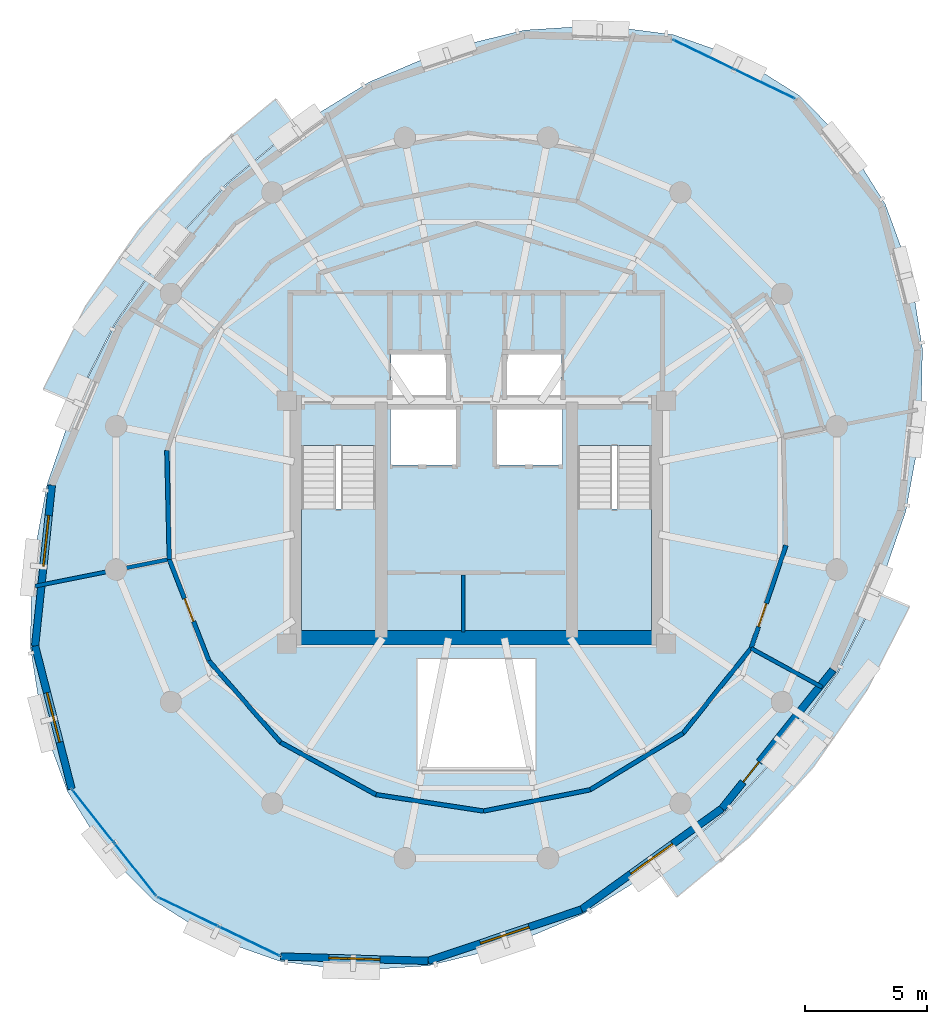
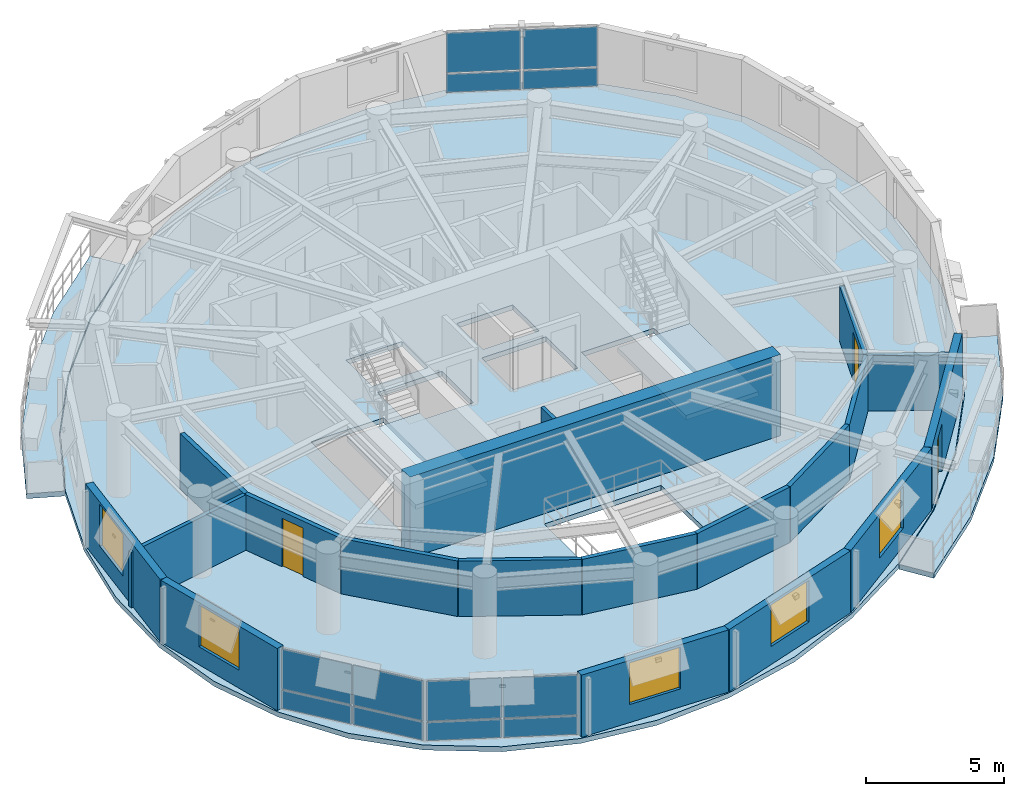
# One storey, part 6 of 11: 19 walls, 12 plates, 5 slabs, 5 windows, 3 doors, 8 openings, 5 elements without a shape of their own.
"""IFC4 building model written with IfcOpenShell, lengths in metres."""

from ifc_helpers import new_model, si_unit, direction, frame, frame_2d, origin, origin_2d, place, context, subcontext, project, spatial, polyline, rectangle, outline, extrude, material, layer, layer_set, type_object, element, fill, aggregate, save


model = new_model("IFC4")

# Units and contexts
model_context = context("Model", 3, precision=1e-05, world=origin(), true_north=direction((0.0, 1.0)))
body_context = subcontext(model_context, "Body", "Model", "MODEL_VIEW")
ifc_project = project(units=[si_unit("LENGTHUNIT", "METRE"), si_unit("AREAUNIT", "SQUARE_METRE"), si_unit("VOLUMEUNIT", "CUBIC_METRE"), si_unit("PLANEANGLEUNIT", "RADIAN"), si_unit("MASSUNIT", "GRAM", prefix="KILO"), si_unit("THERMODYNAMICTEMPERATUREUNIT", "KELVIN"), si_unit("POWERUNIT", "WATT")], contexts=[model_context])

# Site, building, storey
site_placement = place(None, origin())
site = spatial("IfcSite", under=ifc_project, at=site_placement, CompositionType="ELEMENT")
building_placement = place(site_placement, origin())
building = spatial("IfcBuilding", under=site, at=building_placement, Name="Ocrelia Relay Tower", CompositionType="ELEMENT")
storey_placement = place(building_placement, frame((0.0, 0.0, 244.800048828125)))
storey = spatial("IfcBuildingStorey", under=building, at=storey_placement, Name="L60", CompositionType="ELEMENT", Elevation=244.800048828125)

# Curtain wall, plates
ifc_material_1 = material(Name="Aluminium and solar-control low-E glass", Category="aluminium")
ifc_layer_1 = layer(ifc_material_1, 0.179931640625, Name="Aluminium and solar-control low-E glass")
ifc_layer_set_1 = layer_set([ifc_layer_1], Name="Aluminium and solar-control low-E glass")
curtain_wall_type = type_object("IfcCurtainWallType", Name="CW-SYS-Z4-EXEC", PredefinedType="NOTDEFINED", material=ifc_layer_set_1)
curtain_wall_1_placement = place(storey_placement, origin())
curtain_wall_1 = element("IfcCurtainWall", 1, at=curtain_wall_1_placement, inside=storey, type_object=curtain_wall_type, Name="L60 Elliptical Tower Curtain Wall Bay 01", PredefinedType="NOTDEFINED")
ifc_material_2 = material(Name="Clear double-glazed low-E glass", Category="glass")
ifc_layer_2 = layer(ifc_material_2, 0.031982421875, Name="Clear double-glazed low-E glass")
ifc_layer_set_2 = layer_set([ifc_layer_2], Name="Clear double-glazed low-E glass")
plate_type = type_object("IfcPlateType", Name="CW-SYS-Z4-EXEC-PNL", PredefinedType="CURTAIN_PANEL", material=ifc_layer_set_2)
plate_1_placement = place(storey_placement, frame((45.843017578125, 43.009765625, 0.059814453125), z_axis=(0.0, 0.0, 1.0), x_axis=(-0.90071118316, 0.434418421029, 0.0)))
plate_1 = element("IfcPlate", 2, at=plate_1_placement, type_object=plate_type, Name="CW-Z4 panel 1.1", PredefinedType="CURTAIN_PANEL", context=body_context, shape_type="SweptSolid", body=[
    extrude(rectangle(XDim=2.7275390625, YDim=0.031982421875, at=origin_2d()), origin(), (0.0, 0.0, 1.0), 0.81005859375),
])
plate_2_placement = place(storey_placement, frame((45.843017578125, 43.009765625, 0.929931640625), z_axis=(0.0, 0.0, 1.0), x_axis=(-0.90071118316, 0.434418421029, 0.0)))
plate_2 = element("IfcPlate", 3, at=plate_2_placement, type_object=plate_type, Name="CW-Z4 panel 1.2", PredefinedType="CURTAIN_PANEL", context=body_context, shape_type="SweptSolid", body=[
    extrude(rectangle(XDim=2.7275390625, YDim=0.031982421875, at=origin_2d()), origin(), (0.0, 0.0, 1.0), 1.77001953125),
])
plate_3_placement = place(storey_placement, frame((43.327880859375, 44.222900390625, 0.059814453125), z_axis=(0.0, 0.0, 1.0), x_axis=(-0.90071118316, 0.434418421029, 0.0)))
plate_3 = element("IfcPlate", 4, at=plate_3_placement, type_object=plate_type, Name="CW-Z4 panel 2.1", PredefinedType="CURTAIN_PANEL", context=body_context, shape_type="SweptSolid", body=[
    extrude(rectangle(XDim=2.7275390625, YDim=0.031982421875, at=origin_2d()), origin(), (0.0, 0.0, 1.0), 0.81005859375),
])
plate_4_placement = place(storey_placement, frame((43.327880859375, 44.222900390625, 0.929931640625), z_axis=(0.0, 0.0, 1.0), x_axis=(-0.90071118316, 0.434418421029, 0.0)))
plate_4 = element("IfcPlate", 5, at=plate_4_placement, type_object=plate_type, Name="CW-Z4 panel 2.2", PredefinedType="CURTAIN_PANEL", context=body_context, shape_type="SweptSolid", body=[
    extrude(rectangle(XDim=2.7275390625, YDim=0.031982421875, at=origin_2d()), origin(), (0.0, 0.0, 1.0), 1.77001953125),
])
aggregate(curtain_wall_1, [plate_1, plate_2, plate_3, plate_4])

curtain_wall_2_placement = place(storey_placement, origin())
curtain_wall_2 = element("IfcCurtainWall", 6, at=curtain_wall_2_placement, inside=storey, type_object=curtain_wall_type, Name="L60 Elliptical Tower Curtain Wall Bay 09", PredefinedType="NOTDEFINED")
plate_5_placement = place(storey_placement, frame((18.250732421875, 12.921630859375, 0.059814453125), z_axis=(0.0, 0.0, 1.0), x_axis=(0.620429556634, -0.784262178901, 0.0)))
plate_5 = element("IfcPlate", 7, at=plate_5_placement, type_object=plate_type, Name="CW-Z4 panel 1.1", PredefinedType="CURTAIN_PANEL", context=body_context, shape_type="SweptSolid", body=[
    extrude(rectangle(XDim=2.7275390625, YDim=0.031982421875, at=origin_2d()), origin(), (0.0, 0.0, 1.0), 0.81005859375),
])
plate_6_placement = place(storey_placement, frame((18.250732421875, 12.921630859375, 0.929931640625), z_axis=(0.0, 0.0, 1.0), x_axis=(0.620429556634, -0.784262178901, 0.0)))
plate_6 = element("IfcPlate", 8, at=plate_6_placement, type_object=plate_type, Name="CW-Z4 panel 1.2", PredefinedType="CURTAIN_PANEL", context=body_context, shape_type="SweptSolid", body=[
    extrude(rectangle(XDim=2.7275390625, YDim=0.031982421875, at=origin_2d()), origin(), (0.0, 0.0, 1.0), 1.77001953125),
])
plate_7_placement = place(storey_placement, frame((19.9833984375, 10.731689453125, 0.059814453125), z_axis=(0.0, 0.0, 1.0), x_axis=(0.620429556634, -0.784262178901, 0.0)))
plate_7 = element("IfcPlate", 9, at=plate_7_placement, type_object=plate_type, Name="CW-Z4 panel 2.1", PredefinedType="CURTAIN_PANEL", context=body_context, shape_type="SweptSolid", body=[
    extrude(rectangle(XDim=2.7275390625, YDim=0.031982421875, at=origin_2d()), origin(), (0.0, 0.0, 1.0), 0.81005859375),
])
plate_8_placement = place(storey_placement, frame((19.9833984375, 10.731689453125, 0.929931640625), z_axis=(0.0, 0.0, 1.0), x_axis=(0.620429556634, -0.784262178901, 0.0)))
plate_8 = element("IfcPlate", 10, at=plate_8_placement, type_object=plate_type, Name="CW-Z4 panel 2.2", PredefinedType="CURTAIN_PANEL", context=body_context, shape_type="SweptSolid", body=[
    extrude(rectangle(XDim=2.7275390625, YDim=0.031982421875, at=origin_2d()), origin(), (0.0, 0.0, 1.0), 1.77001953125),
])
aggregate(curtain_wall_2, [plate_5, plate_6, plate_7, plate_8])

curtain_wall_3_placement = place(storey_placement, origin())
curtain_wall_3 = element("IfcCurtainWall", 11, at=curtain_wall_3_placement, inside=storey, type_object=curtain_wall_type, Name="L60 Elliptical Tower Curtain Wall Bay 10", PredefinedType="NOTDEFINED")
plate_9_placement = place(storey_placement, frame((22.156982421875, 8.990234375, 0.059814453125), z_axis=(0.0, 0.0, 1.0), x_axis=(0.90071118316, -0.434418421029, 0.0)))
plate_9 = element("IfcPlate", 12, at=plate_9_placement, type_object=plate_type, Name="CW-Z4 panel 1.1", PredefinedType="CURTAIN_PANEL", context=body_context, shape_type="SweptSolid", body=[
    extrude(rectangle(XDim=2.7275390625, YDim=0.031982421875, at=origin_2d()), origin(), (0.0, 0.0, 1.0), 0.81005859375),
])
plate_10_placement = place(storey_placement, frame((22.156982421875, 8.990234375, 0.929931640625), z_axis=(0.0, 0.0, 1.0), x_axis=(0.90071118316, -0.434418421029, 0.0)))
plate_10 = element("IfcPlate", 13, at=plate_10_placement, type_object=plate_type, Name="CW-Z4 panel 1.2", PredefinedType="CURTAIN_PANEL", context=body_context, shape_type="SweptSolid", body=[
    extrude(rectangle(XDim=2.7275390625, YDim=0.031982421875, at=origin_2d()), origin(), (0.0, 0.0, 1.0), 1.77001953125),
])
plate_11_placement = place(storey_placement, frame((24.672119140625, 7.777099609375, 0.059814453125), z_axis=(0.0, 0.0, 1.0), x_axis=(0.90071118316, -0.434418421029, 0.0)))
plate_11 = element("IfcPlate", 14, at=plate_11_placement, type_object=plate_type, Name="CW-Z4 panel 2.1", PredefinedType="CURTAIN_PANEL", context=body_context, shape_type="SweptSolid", body=[
    extrude(rectangle(XDim=2.7275390625, YDim=0.031982421875, at=origin_2d()), origin(), (0.0, 0.0, 1.0), 0.81005859375),
])
plate_12_placement = place(storey_placement, frame((24.672119140625, 7.777099609375, 0.929931640625), z_axis=(0.0, 0.0, 1.0), x_axis=(0.90071118316, -0.434418421029, 0.0)))
plate_12 = element("IfcPlate", 15, at=plate_12_placement, type_object=plate_type, Name="CW-Z4 panel 2.2", PredefinedType="CURTAIN_PANEL", context=body_context, shape_type="SweptSolid", body=[
    extrude(rectangle(XDim=2.7275390625, YDim=0.031982421875, at=origin_2d()), origin(), (0.0, 0.0, 1.0), 1.77001953125),
])
aggregate(curtain_wall_3, [plate_9, plate_10, plate_11, plate_12])

# Slabs
ifc_material_3 = material(Name="Precast concrete C40/50", Category="concrete")
ifc_layer_3 = layer(ifc_material_3, 0.219970703125, Name="Precast concrete C40/50")
ifc_layer_set_3 = layer_set([ifc_layer_3], Name="Precast concrete C40/50")
slab_type_1 = type_object("IfcSlabType", Name="SL-BALC-220", PredefinedType="FLOOR", material=ifc_layer_set_3)
slab_1_placement = place(storey_placement, frame((0.0, 0.0, -0.219970703125)))
element("IfcSlab", 16, at=slab_1_placement, inside=storey, type_object=slab_type_1, Name="L60 Planted Loggia Balcony B1", PredefinedType="FLOOR", context=body_context, shape_type="SweptSolid", body=[
    extrude(outline(polyline([(26.562255859375, 41.260009765625), (25.15771484375, 40.095703125), (23.75341796875, 38.931396484375), (21.255615234375, 36.210205078125), (19.144775390625, 33.17919921875), (18.314697265625, 31.554443359375), (17.48486328125, 29.929931640625), (16.202392578125, 30.474609375), (17.076171875, 32.185302734375), (17.949951171875, 33.895751953125), (20.168212890625, 37.081298828125), (22.793212890625, 39.941162109375), (24.27197265625, 41.1669921875), (25.750732421875, 42.392822265625), (26.562255859375, 41.260009765625)])), origin(), (0.0, 0.0, 1.0), 0.219970703125),
])
slab_2_placement = place(storey_placement, frame((0.0, 0.0, -0.219970703125)))
element("IfcSlab", 17, at=slab_2_placement, inside=storey, type_object=slab_type_1, Name="L60 Planted Loggia Balcony B2", PredefinedType="FLOOR", context=body_context, shape_type="SweptSolid", body=[
    extrude(outline(polyline([(41.437744140625, 10.739990234375), (42.84228515625, 11.904296875), (44.24658203125, 13.068603515625), (46.744384765625, 15.789794921875), (48.855224609375, 18.82080078125), (49.685302734375, 20.445556640625), (50.51513671875, 22.070068359375), (51.797607421875, 21.525390625), (50.923828125, 19.814697265625), (50.050048828125, 18.104248046875), (47.831787109375, 14.918701171875), (45.206787109375, 12.058837890625), (43.72802734375, 10.8330078125), (42.249267578125, 9.607177734375), (41.437744140625, 10.739990234375)])), origin(), (0.0, 0.0, 1.0), 0.219970703125),
])
ifc_material_4 = material(Name="Concrete C50/60", Category="concrete")
ifc_layer_4 = layer(ifc_material_4, 0.219970703125, Name="Concrete C50/60")
ifc_layer_set_4 = layer_set([ifc_layer_4], Name="Concrete C50/60")
slab_type_2 = type_object("IfcSlabType", Name="SL-FLR-220", PredefinedType="FLOOR", material=ifc_layer_set_4)
slab_3_placement = place(storey_placement, frame((0.0, 0.0, -0.219970703125)))
element("IfcSlab", 18, at=slab_3_placement, inside=storey, type_object=slab_type_2, Name="L60 Elliptical Tower Floor Slab", PredefinedType="FLOOR", context=body_context, shape_type="SweptSolid", body=[
    extrude(outline(polyline([(47.255126953125, 42.545166015625), (44.8447265625, 44.0634765625), (42.10498046875, 45.032958984375), (39.118896484375, 45.42431640625), (35.97705078125, 45.22509765625), (32.775390625, 44.442138671875), (29.61083984375, 43.0986328125), (26.57958984375, 41.235595703125), (23.77392578125, 38.90966796875), (21.279052734375, 36.19140625), (19.17041015625, 33.16357421875), (17.5126953125, 29.918212890625), (16.355712890625, 26.553466796875), (15.73486328125, 23.172119140625), (15.669189453125, 19.876708984375), (16.16015625, 16.76708984375), (17.193359375, 13.9384765625), (18.7373046875, 11.47607421875), (20.744873046875, 9.454833984375), (23.1552734375, 7.9365234375), (25.89501953125, 6.967041015625), (28.881103515625, 6.57568359375), (32.02294921875, 6.77490234375), (35.224609375, 7.557861328125), (38.38916015625, 8.9013671875), (41.42041015625, 10.764404296875), (44.22607421875, 13.09033203125), (46.720947265625, 15.80859375), (48.82958984375, 18.83642578125), (50.4873046875, 22.081787109375), (51.644287109375, 25.446533203125), (52.26513671875, 28.827880859375), (52.330810546875, 32.123291015625), (51.83984375, 35.23291015625), (50.806640625, 38.0615234375), (49.2626953125, 40.52392578125), (47.255126953125, 42.545166015625)]), holes=[polyline([(26.81005859375, 28.14990234375), (26.81005859375, 20.550048828125), (29.85009765625, 20.550048828125), (29.85009765625, 28.14990234375), (26.81005859375, 28.14990234375)]), polyline([(38.159912109375, 28.14990234375), (38.159912109375, 20.550048828125), (41.199951171875, 20.550048828125), (41.199951171875, 28.14990234375), (38.159912109375, 28.14990234375)]), polyline([(30.4599609375, 27.35009765625), (33.159912109375, 27.35009765625), (33.159912109375, 29.64990234375), (30.4599609375, 29.64990234375), (30.4599609375, 27.35009765625)]), polyline([(34.840087890625, 27.35009765625), (37.5400390625, 27.35009765625), (37.5400390625, 29.64990234375), (34.840087890625, 29.64990234375), (34.840087890625, 27.35009765625)]), polyline([(30.5, 30.10009765625), (32.85009765625, 30.10009765625), (32.85009765625, 32.0), (30.5, 32.0), (30.5, 30.10009765625)]), polyline([(35.14990234375, 30.10009765625), (37.5, 30.10009765625), (37.5, 32.0), (35.14990234375, 32.0), (35.14990234375, 30.10009765625)]), polyline([(31.550048828125, 14.800048828125), (36.449951171875, 14.800048828125), (36.449951171875, 19.39990234375), (31.550048828125, 19.39990234375), (31.550048828125, 14.800048828125)])]), origin(), (0.0, 0.0, 1.0), 0.219970703125),
])

# Stair, slab
stair_type = type_object("IfcStairType", Name="ST-DL-1420-R180", PredefinedType="HALF_TURN_STAIR", material=ifc_material_4)
stair_1_placement = place(storey_placement, origin())
stair_1 = element("IfcStair", 19, at=stair_1_placement, inside=storey, type_object=stair_type, Name="L60 West Core Exit Stair ST1", PredefinedType="HALF_TURN_STAIR")
ifc_layer_5 = layer(ifc_material_4, 0.199951171875, Name="Concrete C50/60")
ifc_layer_set_5 = layer_set([ifc_layer_5], Name="Concrete C50/60")
slab_type_3 = type_object("IfcSlabType", Name="SL-LANDING-200", PredefinedType="LANDING", material=ifc_layer_set_5)
slab_4_placement = place(storey_placement, frame((0.0, 0.0, 1.599853515625)))
slab_4 = element("IfcSlab", 20, at=slab_4_placement, type_object=slab_type_3, Name="ST1 landing 1", PredefinedType="LANDING", context=body_context, shape_type="SweptSolid", body=[
    extrude(outline(polyline([(26.81005859375, 25.5400390625), (26.81005859375, 20.550048828125), (29.85009765625, 20.550048828125), (29.85009765625, 25.5400390625), (26.81005859375, 25.5400390625)])), origin(), (0.0, 0.0, 1.0), 0.2001953125),
])
aggregate(stair_1, [slab_4])

stair_2_placement = place(storey_placement, origin())
stair_2 = element("IfcStair", 21, at=stair_2_placement, inside=storey, type_object=stair_type, Name="L60 East Core Exit Stair ST2", PredefinedType="HALF_TURN_STAIR")
slab_5_placement = place(storey_placement, frame((0.0, 0.0, 1.599853515625)))
slab_5 = element("IfcSlab", 22, at=slab_5_placement, type_object=slab_type_3, Name="ST2 landing 1", PredefinedType="LANDING", context=body_context, shape_type="SweptSolid", body=[
    extrude(outline(polyline([(38.159912109375, 25.5400390625), (38.159912109375, 20.550048828125), (41.199951171875, 20.550048828125), (41.199951171875, 25.5400390625), (38.159912109375, 25.5400390625)])), origin(), (0.0, 0.0, 1.0), 0.2001953125),
])
aggregate(stair_2, [slab_5])

# Walls
ifc_layer_6 = layer(ifc_material_4, 0.60009765625, Name="Concrete C50/60")
ifc_layer_set_6 = layer_set([ifc_layer_6], Name="Concrete C50/60")
wall_type_1 = type_object("IfcWallType", Name="CW-CORE-600B", PredefinedType="SHEAR", material=ifc_layer_set_6)
wall_1_placement = place(storey_placement, frame((26.221923828125, 20.261962890625, 0.0), z_axis=(0.0, 0.0, 1.0), x_axis=(1.0, 0.0, 0.0)))
element("IfcWall", 23, at=wall_1_placement, inside=storey, type_object=wall_type_1, Name="L60 Core Shear Wall S", PredefinedType="SHEAR", context=body_context, shape_type="SweptSolid", body=[
    extrude(rectangle(XDim=15.566162109375, YDim=0.60009765625, at=frame_2d((7.783203125, 0.0))), origin(), (0.0, 0.0, 1.0), 3.599853515625),
])
ifc_material_5 = material(Name="Gypsum Fireboard Partition EI60", Category="gypsum")
ifc_layer_7 = layer(ifc_material_5, 0.179931640625, Name="Gypsum Fireboard Partition EI60")
ifc_layer_set_7 = layer_set([ifc_layer_7], Name="Gypsum Fireboard Partition EI60")
wall_type_2 = type_object("IfcWallType", Name="W-CORR-EI60-180", PredefinedType="PARTITIONING", material=ifc_layer_set_7)
wall_2_placement = place(storey_placement, frame((21.278076171875, 27.94677734375, 0.0), z_axis=(0.0, 0.0, 1.0), x_axis=(0.022668052471, -0.999743046686, 0.0)))
element("IfcWall", 24, at=wall_2_placement, inside=storey, type_object=wall_type_2, Name="L60 Treaty Negotiation Room Corridor Partition 2", PredefinedType="PARTITIONING", context=body_context, shape_type="SweptSolid", body=[
    extrude(rectangle(XDim=4.4697265625, YDim=0.179931640625, at=frame_2d((2.23486328125, 0.0))), origin(), (0.0, 0.0, 1.0), 2.4599609375),
])

# Wall, opening, door
wall_3_placement = place(storey_placement, frame((21.37939453125, 23.478271484375, 0.0), z_axis=(0.0, 0.0, 1.0), x_axis=(0.363268474482, -0.931684504243, 0.0)))
wall_3 = element("IfcWall", 25, at=wall_3_placement, inside=storey, type_object=wall_type_2, Name="L60 Arbitration Room Corridor Partition 1", PredefinedType="PARTITIONING", context=body_context, shape_type="SweptSolid", body=[
    extrude(rectangle(XDim=4.469970703125, YDim=0.179931640625, at=frame_2d((2.23486328125, 0.0))), origin(), (0.0, 0.0, 1.0), 2.4599609375),
])
opening_1_placement = place(wall_3_placement, frame((1.73486328125, 0.0, 0.0)))
opening_1 = element("IfcOpeningElement", 26, at=opening_1_placement, cuts=wall_3, Name="Opening D-RM100", PredefinedType="OPENING", context=body_context, shape_type="SweptSolid", body=[
    extrude(rectangle(XDim=1.0, YDim=2.14990234375, at=frame_2d((0.5, 1.074951171875))), frame((0.0, 0.10009765625, 0.0), z_axis=(0.0, -1.0, 0.0), x_axis=(1.0, 0.0, 0.0)), (0.0, 0.0, 1.0), 0.199951171875),
])
ifc_material_6 = material(Name="Acoustic oak veneer fire door", Category="wood")
door_type_1 = type_object("IfcDoorType", Name="DR-ROOM-FD60-1000", OperationType="NOTDEFINED", PredefinedType="DOOR", material=ifc_material_6)
door_1_placement = place(opening_1_placement, origin())
door_1 = element("IfcDoor", 27, at=door_1_placement, inside=storey, type_object=door_type_1, Name="L60 Arbitration Room Entrance Door", OperationType="SINGLE_SWING_RIGHT", OverallHeight=2.14990234375, OverallWidth=1.0, PredefinedType="DOOR", context=body_context, shape_type="SweptSolid", body=[
    extrude(rectangle(XDim=1.0, YDim=2.14990234375, at=frame_2d((0.5, 1.074951171875))), frame((0.0, 0.02490234375, 0.0), z_axis=(0.0, -1.0, 0.0), x_axis=(1.0, 0.0, 0.0)), (0.0, 0.0, 1.0), 0.050048828125),
])
fill(opening_1, door_1)

# Walls
for number, where, z_axis, x_axis, name in (
    (28, (23.003173828125, 19.313720703125, 0.0), (0.0, 0.0, 1.0), (0.659995987979, -0.751269123451, 0.0), "L60 Arbitration Room Corridor Partition 2"),
    (29, (25.953125, 15.955810546875, 0.0), (0.0, 0.0, 1.0), (0.877147214846, -0.480221577491, 0.0), "L60 Arbitration Room Corridor Partition 3"),
    (30, (29.873779296875, 13.809326171875, 0.0), (0.0, 0.0, 1.0), (0.988495766308, -0.151248537156, 0.0), "L60 Arbitration Room Corridor Partition 4"),
    (31, (34.2919921875, 13.13330078125, 0.0), (0.0, 0.0, 1.0), (0.980618472296, 0.195927057323, 0.0), "L60 Arbitration Room Corridor Partition 5"),
    (32, (38.675048828125, 14.009033203125, 0.0), (0.0, 0.0, 1.0), (0.854436839573, 0.519555278272, 0.0), "L60 Arbitration Room Corridor Partition 6"),
    (33, (42.494140625, 16.331298828125, 0.0), (0.0, 0.0, 1.0), (0.625247763114, 0.78042631601, 0.0), "L60 Arbitration Room Corridor Partition 7"),
):
    element("IfcWall", number, at=place(storey_placement, frame(where, z_axis=z_axis, x_axis=x_axis)), inside=storey, type_object=wall_type_2, Name=name, PredefinedType="PARTITIONING", context=body_context, shape_type="SweptSolid", body=[
        extrude(rectangle(XDim=4.4697265625, YDim=0.179931640625, at=frame_2d((2.23486328125, 0.0))), origin(), (0.0, 0.0, 1.0), 2.4599609375),
    ])

# Wall, opening, door
wall_4_placement = place(storey_placement, frame((45.288818359375, 19.819580078125, 0.0), z_axis=(0.0, 0.0, 1.0), x_axis=(0.320632364631, 0.947203719773, 0.0)))
wall_4 = element("IfcWall", 34, at=wall_4_placement, inside=storey, type_object=wall_type_2, Name="L60 Hospitality Servery Pantry Corridor Partition 1", PredefinedType="PARTITIONING", context=body_context, shape_type="SweptSolid", body=[
    extrude(rectangle(XDim=4.4697265625, YDim=0.179931640625, at=frame_2d((2.23486328125, 0.0))), origin(), (0.0, 0.0, 1.0), 2.4599609375),
])
opening_2_placement = place(wall_4_placement, frame((0.9423828125, 0.0, 0.0)))
opening_2 = element("IfcOpeningElement", 35, at=opening_2_placement, cuts=wall_4, Name="Opening D-RM100", PredefinedType="OPENING", context=body_context, shape_type="SweptSolid", body=[
    extrude(rectangle(XDim=1.0, YDim=2.14990234375, at=frame_2d((0.5, 1.074951171875))), frame((0.0, 0.10009765625, 0.0), z_axis=(0.0, -1.0, 0.0), x_axis=(1.0, 0.0, 0.0)), (0.0, 0.0, 1.0), 0.199951171875),
])
door_2_placement = place(opening_2_placement, origin())
door_2 = element("IfcDoor", 36, at=door_2_placement, inside=storey, type_object=door_type_1, Name="L60 Hospitality Servery Pantry Entrance Door", OperationType="SINGLE_SWING_LEFT", OverallHeight=2.14990234375, OverallWidth=1.0, PredefinedType="DOOR", context=body_context, shape_type="SweptSolid", body=[
    extrude(rectangle(XDim=1.0, YDim=2.14990234375, at=frame_2d((0.5, 1.074951171875))), frame((0.0, 0.02490234375, 0.0), z_axis=(0.0, -1.0, 0.0), x_axis=(1.0, 0.0, 0.0)), (0.0, 0.0, 1.0), 0.050048828125),
])
fill(opening_2, door_2)

# Wall, opening, window
ifc_material_7 = material(Name="Precast concrete C40/50 with oxide terracotta", Category="masonry")
ifc_layer_8 = layer(ifc_material_7, 0.300048828125, Name="Precast concrete C40/50 with oxide terracotta")
ifc_layer_set_8 = layer_set([ifc_layer_8], Name="Precast concrete C40/50 with oxide terracotta")
wall_type_3 = type_object("IfcWallType", Name="W-EXT-TERR-300", PredefinedType="SOLIDWALL", material=ifc_layer_set_8)
wall_5_placement = place(storey_placement, frame((16.553466796875, 26.523193359375, 0.0), z_axis=(0.0, 0.0, 1.0), x_axis=(-0.103600024901, -0.994619040055, 0.0)))
wall_5 = element("IfcWall", 37, at=wall_5_placement, inside=storey, type_object=wall_type_3, Name="L60 Oxide Terracotta Facade Wall 07", PredefinedType="SOLIDWALL", context=body_context, shape_type="SweptSolid", body=[
    extrude(rectangle(XDim=6.64306640625, YDim=0.300048828125, at=frame_2d((3.321533203125, 0.0))), origin(), (0.0, 0.0, 1.0), 2.760009765625),
])
opening_3_placement = place(wall_5_placement, frame((1.2509765625, 0.0, 0.800048828125)))
opening_3 = element("IfcOpeningElement", 38, at=opening_3_placement, cuts=wall_5, Name="Opening W-07", PredefinedType="OPENING", context=body_context, shape_type="SweptSolid", body=[
    extrude(rectangle(XDim=2.10009765625, YDim=1.85009765625, at=frame_2d((1.050048828125, 0.925048828125))), frame((0.0, 0.16015625, 0.0), z_axis=(0.0, -1.0, 0.0), x_axis=(1.0, 0.0, 0.0)), (0.0, 0.0, 1.0), 0.320068359375),
])
window_type = type_object("IfcWindowType", Name="WIN-Z4-2100x2200", PartitioningType="DOUBLE_PANEL_VERTICAL", PredefinedType="WINDOW", material=ifc_material_2)
window_1_placement = place(opening_3_placement, origin())
window_1 = element("IfcWindow", 39, at=window_1_placement, inside=storey, type_object=window_type, Name="L60 Facade Module Window 07", OverallHeight=1.85009765625, OverallWidth=2.10009765625, PartitioningType="SINGLE_PANEL", PredefinedType="WINDOW", context=body_context, shape_type="SweptSolid", body=[
    extrude(rectangle(XDim=2.10009765625, YDim=1.85009765625, at=frame_2d((1.050048828125, 0.925048828125))), frame((0.0, 0.030029296875, 0.0), z_axis=(0.0, -1.0, 0.0), x_axis=(1.0, 0.0, 0.0)), (0.0, 0.0, 1.0), 0.06005859375),
])
fill(opening_3, window_1)

wall_6_placement = place(storey_placement, frame((15.865234375, 19.915771484375, 0.0), z_axis=(0.0, 0.0, 1.0), x_axis=(0.247289924711, -0.968941532362, 0.0)))
wall_6 = element("IfcWall", 40, at=wall_6_placement, inside=storey, type_object=wall_type_3, Name="L60 Oxide Terracotta Facade Wall 08", PredefinedType="SOLIDWALL", context=body_context, shape_type="SweptSolid", body=[
    extrude(rectangle(XDim=6.061767578125, YDim=0.300048828125, at=frame_2d((3.03076171875, 0.0))), origin(), (0.0, 0.0, 1.0), 2.760009765625),
])
opening_4_placement = place(wall_6_placement, frame((1.98095703125, 0.0, 0.800048828125)))
opening_4 = element("IfcOpeningElement", 41, at=opening_4_placement, cuts=wall_6, Name="Opening W-07", PredefinedType="OPENING", context=body_context, shape_type="SweptSolid", body=[
    extrude(rectangle(XDim=2.10009765625, YDim=1.85009765625, at=frame_2d((1.050048828125, 0.925048828125))), frame((0.0, 0.16015625, 0.0), z_axis=(0.0, -1.0, 0.0), x_axis=(1.0, 0.0, 0.0)), (0.0, 0.0, 1.0), 0.320068359375),
])
window_2_placement = place(opening_4_placement, origin())
window_2 = element("IfcWindow", 42, at=window_2_placement, inside=storey, type_object=window_type, Name="L60 Facade Module Window 08", OverallHeight=1.85009765625, OverallWidth=2.10009765625, PartitioningType="SINGLE_PANEL", PredefinedType="WINDOW", context=body_context, shape_type="SweptSolid", body=[
    extrude(rectangle(XDim=2.10009765625, YDim=1.85009765625, at=frame_2d((1.050048828125, 0.925048828125))), frame((0.0, 0.030029296875, 0.0), z_axis=(0.0, -1.0, 0.0), x_axis=(1.0, 0.0, 0.0)), (0.0, 0.0, 1.0), 0.06005859375),
])
fill(opening_4, window_2)

wall_7_placement = place(storey_placement, frame((25.959228515625, 7.156494140625, 0.0), z_axis=(0.0, 0.0, 1.0), x_axis=(0.999549748053, -0.030005019031, 0.0)))
wall_7 = element("IfcWall", 43, at=wall_7_placement, inside=storey, type_object=wall_type_3, Name="L60 Oxide Terracotta Facade Wall 11", PredefinedType="SOLIDWALL", context=body_context, shape_type="SweptSolid", body=[
    extrude(rectangle(XDim=6.061767578125, YDim=0.300048828125, at=frame_2d((3.03076171875, 0.0))), origin(), (0.0, 0.0, 1.0), 2.760009765625),
])
opening_5_placement = place(wall_7_placement, frame((1.98095703125, 0.0, 0.800048828125)))
opening_5 = element("IfcOpeningElement", 44, at=opening_5_placement, cuts=wall_7, Name="Opening W-07", PredefinedType="OPENING", context=body_context, shape_type="SweptSolid", body=[
    extrude(rectangle(XDim=2.10009765625, YDim=1.85009765625, at=frame_2d((1.050048828125, 0.925048828125))), frame((0.0, 0.16015625, 0.0), z_axis=(0.0, -1.0, 0.0), x_axis=(1.0, 0.0, 0.0)), (0.0, 0.0, 1.0), 0.320068359375),
])
window_3_placement = place(opening_5_placement, origin())
window_3 = element("IfcWindow", 45, at=window_3_placement, inside=storey, type_object=window_type, Name="L60 Facade Module Window 11", OverallHeight=1.85009765625, OverallWidth=2.10009765625, PartitioningType="SINGLE_PANEL", PredefinedType="WINDOW", context=body_context, shape_type="SweptSolid", body=[
    extrude(rectangle(XDim=2.10009765625, YDim=1.85009765625, at=frame_2d((1.050048828125, 0.925048828125))), frame((0.0, 0.030029296875, 0.0), z_axis=(0.0, -1.0, 0.0), x_axis=(1.0, 0.0, 0.0)), (0.0, 0.0, 1.0), 0.06005859375),
])
fill(opening_5, window_3)

wall_8_placement = place(storey_placement, frame((32.018310546875, 6.974609375, 0.0), z_axis=(0.0, 0.0, 1.0), x_axis=(0.948064074007, 0.318079410805, 0.0)))
wall_8 = element("IfcWall", 46, at=wall_8_placement, inside=storey, type_object=wall_type_3, Name="L60 Oxide Terracotta Facade Wall 12", PredefinedType="SOLIDWALL", context=body_context, shape_type="SweptSolid", body=[
    extrude(rectangle(XDim=6.64306640625, YDim=0.300048828125, at=frame_2d((3.321533203125, 0.0))), origin(), (0.0, 0.0, 1.0), 2.760009765625),
])
opening_6_placement = place(wall_8_placement, frame((2.27197265625, 0.0, 0.800048828125)))
opening_6 = element("IfcOpeningElement", 47, at=opening_6_placement, cuts=wall_8, Name="Opening W-07", PredefinedType="OPENING", context=body_context, shape_type="SweptSolid", body=[
    extrude(rectangle(XDim=2.10009765625, YDim=1.85009765625, at=frame_2d((1.050048828125, 0.925048828125))), frame((0.0, 0.16015625, 0.0), z_axis=(0.0, -1.0, 0.0), x_axis=(1.0, 0.0, 0.0)), (0.0, 0.0, 1.0), 0.320068359375),
])
window_4_placement = place(opening_6_placement, origin())
window_4 = element("IfcWindow", 48, at=window_4_placement, inside=storey, type_object=window_type, Name="L60 Facade Module Window 12", OverallHeight=1.85009765625, OverallWidth=2.10009765625, PartitioningType="SINGLE_PANEL", PredefinedType="WINDOW", context=body_context, shape_type="SweptSolid", body=[
    extrude(rectangle(XDim=2.10009765625, YDim=1.85009765625, at=frame_2d((1.050048828125, 0.925048828125))), frame((0.0, 0.030029296875, 0.0), z_axis=(0.0, -1.0, 0.0), x_axis=(1.0, 0.0, 0.0)), (0.0, 0.0, 1.0), 0.06005859375),
])
fill(opening_6, window_4)

wall_9_placement = place(storey_placement, frame((38.31640625, 9.087646484375, 0.0), z_axis=(0.0, 0.0, 1.0), x_axis=(0.81200266695, 0.583653723424, 0.0)))
wall_9 = element("IfcWall", 49, at=wall_9_placement, inside=storey, type_object=wall_type_3, Name="L60 Oxide Terracotta Facade Wall 13", PredefinedType="SOLIDWALL", context=body_context, shape_type="SweptSolid", body=[
    extrude(rectangle(XDim=7.115234375, YDim=0.300048828125, at=frame_2d((3.5576171875, 0.0))), origin(), (0.0, 0.0, 1.0), 2.760009765625),
])
opening_7_placement = place(wall_9_placement, frame((2.508056640625, 0.0, 0.800048828125)))
opening_7 = element("IfcOpeningElement", 50, at=opening_7_placement, cuts=wall_9, Name="Opening W-07", PredefinedType="OPENING", context=body_context, shape_type="SweptSolid", body=[
    extrude(rectangle(XDim=2.10009765625, YDim=1.85009765625, at=frame_2d((1.050048828125, 0.925048828125))), frame((0.0, 0.16015625, 0.0), z_axis=(0.0, -1.0, 0.0), x_axis=(1.0, 0.0, 0.0)), (0.0, 0.0, 1.0), 0.320068359375),
])
window_5_placement = place(opening_7_placement, origin())
window_5 = element("IfcWindow", 51, at=window_5_placement, inside=storey, type_object=window_type, Name="L60 Facade Module Window 13", OverallHeight=1.85009765625, OverallWidth=2.10009765625, PartitioningType="SINGLE_PANEL", PredefinedType="WINDOW", context=body_context, shape_type="SweptSolid", body=[
    extrude(rectangle(XDim=2.10009765625, YDim=1.85009765625, at=frame_2d((1.050048828125, 0.925048828125))), frame((0.0, 0.030029296875, 0.0), z_axis=(0.0, -1.0, 0.0), x_axis=(1.0, 0.0, 0.0)), (0.0, 0.0, 1.0), 0.06005859375),
])
fill(opening_7, window_5)

# Wall, opening, door
wall_10_placement = place(storey_placement, frame((44.093994140625, 13.240478515625, 0.0), z_axis=(0.0, 0.0, 1.0), x_axis=(0.625225587143, 0.780444082034, 0.0)))
wall_10 = element("IfcWall", 52, at=wall_10_placement, inside=storey, type_object=wall_type_3, Name="L60 Oxide Terracotta Facade Wall 14", PredefinedType="SOLIDWALL", context=body_context, shape_type="SweptSolid", body=[
    extrude(rectangle(XDim=7.29345703125, YDim=0.300048828125, at=frame_2d((3.646728515625, 0.0))), origin(), (0.0, 0.0, 1.0), 2.760009765625),
])
opening_8_placement = place(wall_10_placement, frame((1.389892578125, 0.0, 0.0)))
opening_8 = element("IfcOpeningElement", 53, at=opening_8_placement, cuts=wall_10, Name="Opening DB-105", PredefinedType="OPENING", context=body_context, shape_type="SweptSolid", body=[
    extrude(rectangle(XDim=1.050048828125, YDim=2.14990234375, at=frame_2d((0.52490234375, 1.074951171875))), frame((0.0, 0.16015625, 0.0), z_axis=(0.0, -1.0, 0.0), x_axis=(1.0, 0.0, 0.0)), (0.0, 0.0, 1.0), 0.320068359375),
])
ifc_material_8 = material(Name="Thermally broken aluminium and clear glass", Category="aluminium")
door_type_2 = type_object("IfcDoorType", Name="DR-BALC-1050", OperationType="NOTDEFINED", PredefinedType="DOOR", material=ifc_material_8)
door_3_placement = place(opening_8_placement, origin())
door_3 = element("IfcDoor", 54, at=door_3_placement, inside=storey, type_object=door_type_2, Name="L60 Planted Loggia Balcony Door B2", OperationType="SINGLE_SWING_LEFT", OverallHeight=2.14990234375, OverallWidth=1.050048828125, PredefinedType="DOOR", context=body_context, shape_type="SweptSolid", body=[
    extrude(rectangle(XDim=1.050048828125, YDim=2.14990234375, at=frame_2d((0.52490234375, 1.074951171875))), frame((0.0, 0.02490234375, 0.0), z_axis=(0.0, -1.0, 0.0), x_axis=(1.0, 0.0, 0.0)), (0.0, 0.0, 1.0), 0.050048828125),
])
fill(opening_8, door_3)

# Walls
ifc_material_9 = material(Name="Acoustic Fireboard Partition EI60", Category="gypsum")
ifc_layer_9 = layer(ifc_material_9, 0.14990234375, Name="Acoustic Fireboard Partition EI60")
ifc_layer_set_9 = layer_set([ifc_layer_9], Name="Acoustic Fireboard Partition EI60")
wall_type_4 = type_object("IfcWallType", Name="W-PART-150", PredefinedType="PARTITIONING", material=ifc_layer_set_9)
wall_11_placement = place(storey_placement, frame((33.4599609375, 20.5, 0.0), z_axis=(0.0, 0.0, 1.0), x_axis=(0.0, 1.0, 0.0)))
element("IfcWall", 55, at=wall_11_placement, inside=storey, type_object=wall_type_4, Name="L60 Reclaimed Core Dividing Wall", PredefinedType="PARTITIONING", context=body_context, shape_type="SweptSolid", body=[
    extrude(rectangle(XDim=2.340087890625, YDim=0.14990234375, at=frame_2d((1.169921875, 0.0))), origin(), (0.0, 0.0, 1.0), 2.4599609375),
])
ifc_layer_10 = layer(ifc_material_9, 0.159912109375, Name="Acoustic Fireboard Partition EI60")
ifc_layer_set_10 = layer_set([ifc_layer_10], Name="Acoustic Fireboard Partition EI60")
wall_type_5 = type_object("IfcWallType", Name="W-PART-160", PredefinedType="PARTITIONING", material=ifc_layer_set_10)
wall_12_placement = place(storey_placement, frame((21.37939453125, 23.478271484375, 0.0), z_axis=(0.0, 0.0, 1.0), x_axis=(-0.980610732567, -0.195965790829, 0.0)))
element("IfcWall", 56, at=wall_12_placement, inside=storey, type_object=wall_type_5, Name="L60 Treaty Negotiation Room Radial Partition", PredefinedType="PARTITIONING", context=body_context, shape_type="SweptSolid", body=[
    extrude(rectangle(XDim=5.62109375, YDim=0.159912109375, at=frame_2d((2.810546875, 0.0))), origin(), (0.0, 0.0, 1.0), 2.4599609375),
])
wall_13_placement = place(storey_placement, frame((45.288818359375, 19.819580078125, 0.0), z_axis=(0.0, 0.0, 1.0), x_axis=(0.877155073621, -0.480207222791, 0.0)))
element("IfcWall", 57, at=wall_13_placement, inside=storey, type_object=wall_type_5, Name="L60 Arbitration Room Radial Partition", PredefinedType="PARTITIONING", context=body_context, shape_type="SweptSolid", body=[
    extrude(rectangle(XDim=3.3310546875, YDim=0.159912109375, at=frame_2d((1.66552734375, 0.0))), origin(), (0.0, 0.0, 1.0), 2.4599609375),
])

save(model, "model.ifc")
